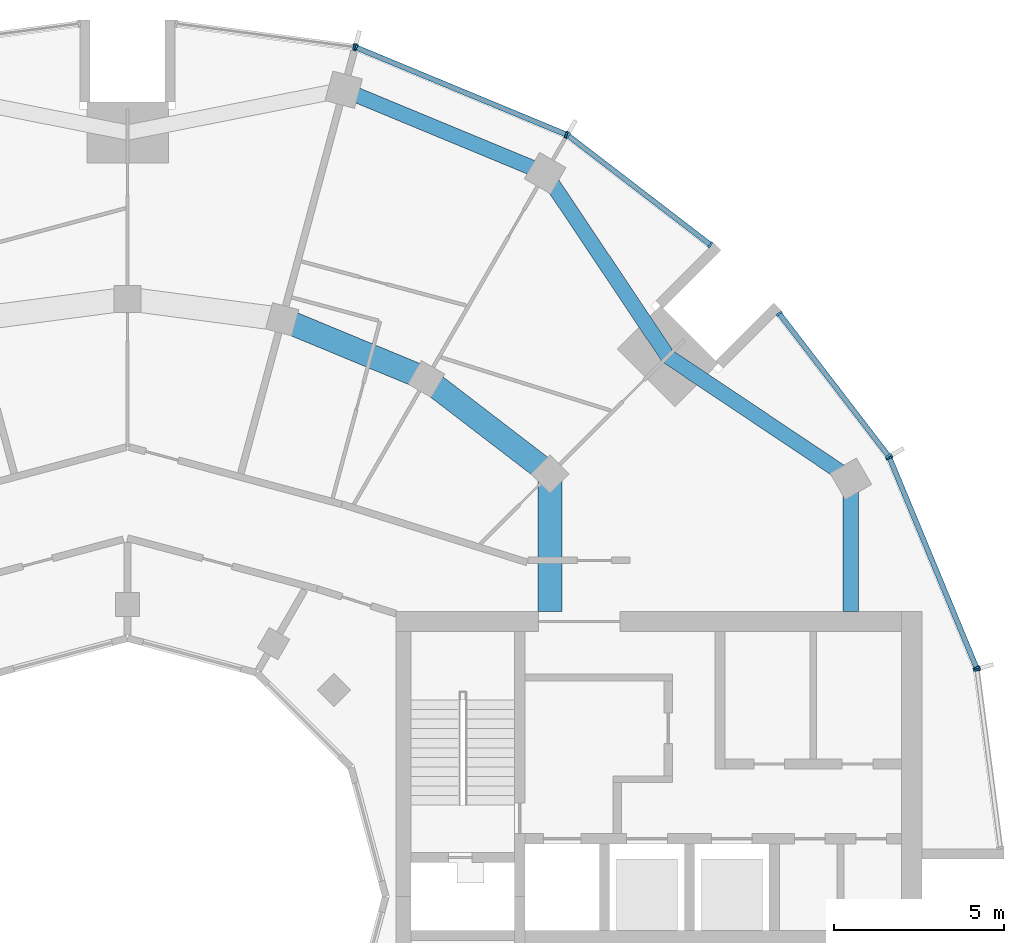
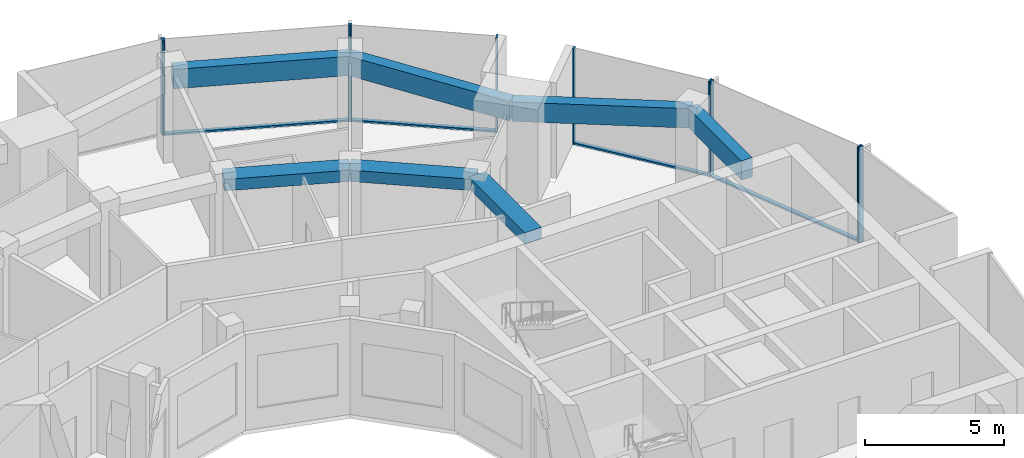
# One storey, part 6 of 15: 14 members, 7 beams, 6 elements without a shape of their own.
"""IFC4 building model written with IfcOpenShell, lengths in metres."""

from ifc_helpers import new_model, si_unit, direction, frame, origin, origin_2d, place, context, subcontext, project, spatial, rectangle, extrude, material, layer, layer_set, material_profile, profile_set, type_object, element, aggregate, save


model = new_model("IFC4")

# Units and contexts
model_context = context("Model", 3, precision=1e-05, world=origin(), true_north=direction((0.0, 1.0)))
body_context = subcontext(model_context, "Body", "Model", "MODEL_VIEW")
ifc_project = project(units=[si_unit("LENGTHUNIT", "METRE"), si_unit("AREAUNIT", "SQUARE_METRE"), si_unit("VOLUMEUNIT", "CUBIC_METRE"), si_unit("PLANEANGLEUNIT", "RADIAN"), si_unit("MASSUNIT", "GRAM", prefix="KILO")], contexts=[model_context])

# Site, building, storey
site_placement = place(None, origin())
site = spatial("IfcSite", under=ifc_project, at=site_placement, CompositionType="ELEMENT")
building_placement = place(site_placement, origin())
building = spatial("IfcBuilding", under=site, at=building_placement, Name="Torre Brocal", CompositionType="ELEMENT")
storey_placement = place(building_placement, frame((0.0, 0.0, 241.5)))
storey = spatial("IfcBuildingStorey", under=building, at=storey_placement, Name="L55", CompositionType="ELEMENT", Elevation=241.5)

# Curtain wall, members
ifc_material_1 = material(Name="Aluminium and glass", Category="aluminium")
ifc_layer_1 = layer(ifc_material_1, 0.199951171875)
ifc_layer_set_1 = layer_set([ifc_layer_1], Name="Aluminium and glass")
curtain_wall_type_1 = type_object("IfcCurtainWallType", Name="CW-1 CURTAIN WALL 4200 HIGH", PredefinedType="NOTDEFINED", material=ifc_layer_set_1)
curtain_wall_1_placement = place(storey_placement, origin())
curtain_wall_1 = element("IfcCurtainWall", 1, at=curtain_wall_1_placement, inside=storey, type_object=curtain_wall_type_1, Name="CW-1 RUN 2", PredefinedType="NOTDEFINED")
ifc_material_2 = material(Name="Aluminium, dark anodised", Category="aluminium")
ifc_material_profile_1 = material_profile(ifc_material_2, rectangle(XDim=0.199951171875, YDim=0.06005859375, at=origin_2d()), Name="CW-1 MULLION 60X200")
ifc_profile_set_1 = profile_set([ifc_material_profile_1], Name="Aluminium, dark anodised")
member_type_1 = type_object("IfcMemberType", Name="CW-1 MULLION 60X200", PredefinedType="MULLION", material=ifc_profile_set_1)
member_1_placement = place(storey_placement, frame((105.005126953125, 81.73095703125, 0.0), z_axis=(0.0, 0.0, 1.0), x_axis=(-0.923879532525, -0.382683432333, 0.0)))
member_1 = element("IfcMember", 2, at=member_1_placement, type_object=member_type_1, Name="CW1-5 mullion 1", PredefinedType="MULLION", context=body_context, shape_type="SweptSolid", body=[
    extrude(rectangle(XDim=0.199951171875, YDim=0.06005859375, at=origin_2d()), origin(), (0.0, 0.0, 1.0), 4.199951171875),
])
member_2_placement = place(storey_placement, frame((102.440673828125, 87.921875, 0.0), z_axis=(0.0, 0.0, 1.0), x_axis=(-0.923879532525, -0.382683432333, 0.0)))
member_2 = element("IfcMember", 3, at=member_2_placement, type_object=member_type_1, Name="CW1-5 mullion 2", PredefinedType="MULLION", context=body_context, shape_type="SweptSolid", body=[
    extrude(rectangle(XDim=0.199951171875, YDim=0.06005859375, at=origin_2d()), origin(), (0.0, 0.0, 1.0), 4.199951171875),
])

curtain_wall_2_placement = place(storey_placement, origin())
curtain_wall_2 = element("IfcCurtainWall", 4, at=curtain_wall_2_placement, inside=storey, type_object=curtain_wall_type_1, Name="CW-1 RUN 3", PredefinedType="NOTDEFINED")
member_3_placement = place(storey_placement, frame((102.4111328125, 87.973388671875, 0.0), z_axis=(0.0, 0.0, 1.0), x_axis=(-0.793353340259, -0.60876142905, 0.0)))
member_3 = element("IfcMember", 5, at=member_3_placement, type_object=member_type_1, Name="CW1-5 mullion 1", PredefinedType="MULLION", context=body_context, shape_type="SweptSolid", body=[
    extrude(rectangle(XDim=0.199951171875, YDim=0.06005859375, at=origin_2d()), origin(), (0.0, 0.0, 1.0), 4.199951171875),
])
member_4_placement = place(storey_placement, frame((99.19140625, 92.16943359375, 0.0), z_axis=(0.0, 0.0, 1.0), x_axis=(-0.793353340259, -0.60876142905, 0.0)))
member_4 = element("IfcMember", 6, at=member_4_placement, type_object=member_type_1, Name="CW1-5 mullion 2", PredefinedType="MULLION", context=body_context, shape_type="SweptSolid", body=[
    extrude(rectangle(XDim=0.199951171875, YDim=0.06005859375, at=origin_2d()), origin(), (0.0, 0.0, 1.0), 4.199951171875),
])

curtain_wall_3_placement = place(storey_placement, origin())
curtain_wall_3 = element("IfcCurtainWall", 7, at=curtain_wall_3_placement, inside=storey, type_object=curtain_wall_type_1, Name="CW-1 RUN 4", PredefinedType="NOTDEFINED")
member_5_placement = place(storey_placement, frame((97.16943359375, 94.19140625, 0.0), z_axis=(0.0, 0.0, 1.0), x_axis=(-0.60876142905, -0.793353340259, 0.0)))
member_5 = element("IfcMember", 8, at=member_5_placement, type_object=member_type_1, Name="CW1-5 mullion 1", PredefinedType="MULLION", context=body_context, shape_type="SweptSolid", body=[
    extrude(rectangle(XDim=0.199951171875, YDim=0.06005859375, at=origin_2d()), origin(), (0.0, 0.0, 1.0), 4.199951171875),
])
member_6_placement = place(storey_placement, frame((92.973388671875, 97.4111328125, 0.0), z_axis=(0.0, 0.0, 1.0), x_axis=(-0.60876142905, -0.793353340259, 0.0)))
member_6 = element("IfcMember", 9, at=member_6_placement, type_object=member_type_1, Name="CW1-5 mullion 2", PredefinedType="MULLION", context=body_context, shape_type="SweptSolid", body=[
    extrude(rectangle(XDim=0.199951171875, YDim=0.06005859375, at=origin_2d()), origin(), (0.0, 0.0, 1.0), 4.199951171875),
])

curtain_wall_4_placement = place(storey_placement, origin())
curtain_wall_4 = element("IfcCurtainWall", 10, at=curtain_wall_4_placement, inside=storey, type_object=curtain_wall_type_1, Name="CW-1 RUN 5", PredefinedType="NOTDEFINED")
member_7_placement = place(storey_placement, frame((92.921875, 97.440673828125, 0.0), z_axis=(0.0, 0.0, 1.0), x_axis=(-0.382683432333, -0.923879532525, 0.0)))
member_7 = element("IfcMember", 11, at=member_7_placement, type_object=member_type_1, Name="CW1-5 mullion 1", PredefinedType="MULLION", context=body_context, shape_type="SweptSolid", body=[
    extrude(rectangle(XDim=0.199951171875, YDim=0.06005859375, at=origin_2d()), origin(), (0.0, 0.0, 1.0), 4.199951171875),
])
member_8_placement = place(storey_placement, frame((86.73095703125, 100.005126953125, 0.0), z_axis=(0.0, 0.0, 1.0), x_axis=(-0.382683432333, -0.923879532525, 0.0)))
member_8 = element("IfcMember", 12, at=member_8_placement, type_object=member_type_1, Name="CW1-5 mullion 2", PredefinedType="MULLION", context=body_context, shape_type="SweptSolid", body=[
    extrude(rectangle(XDim=0.199951171875, YDim=0.06005859375, at=origin_2d()), origin(), (0.0, 0.0, 1.0), 4.199951171875),
])

# Curtain wall, member
curtain_wall_5_placement = place(storey_placement, origin())
curtain_wall_5 = element("IfcCurtainWall", 13, at=curtain_wall_5_placement, inside=storey, type_object=curtain_wall_type_1, Name="CW-1 RUN 6", PredefinedType="NOTDEFINED")
member_9_placement = place(storey_placement, frame((86.67333984375, 100.0205078125, 0.0), z_axis=(0.0, 0.0, 1.0), x_axis=(-0.13052619222, -0.991444861374, 0.0)))
member_9 = element("IfcMember", 14, at=member_9_placement, type_object=member_type_1, Name="CW1-5 mullion 1", PredefinedType="MULLION", context=body_context, shape_type="SweptSolid", body=[
    extrude(rectangle(XDim=0.199951171875, YDim=0.06005859375, at=origin_2d()), origin(), (0.0, 0.0, 1.0), 4.199951171875),
])
aggregate(curtain_wall_5, [member_9])

# Member
ifc_material_3 = material(Name="Aluminium, dark anodised", Category="aluminium")
ifc_material_profile_2 = material_profile(ifc_material_3, rectangle(XDim=0.159912109375, YDim=0.080078125, at=origin_2d()), Name="CW-1 TRANSOM 160X80")
ifc_profile_set_2 = profile_set([ifc_material_profile_2], Name="Aluminium, dark anodised")
member_type_2 = type_object("IfcMemberType", Name="CW-1 TRANSOM 160X80", PredefinedType="USERDEFINED", material=ifc_profile_set_2)
member_10_placement = place(storey_placement, frame((104.99365234375, 81.758544921875, 0.0400390625), z_axis=(-0.38266457234, 0.923887344364, 0.0), x_axis=(-0.923887344364, -0.38266457234, 0.0)))
member_10 = element("IfcMember", 15, at=member_10_placement, type_object=member_type_2, Name="CW1-5 transom 1.1", ObjectType="TRANSOM", PredefinedType="USERDEFINED", context=body_context, shape_type="SweptSolid", body=[
    extrude(rectangle(XDim=0.159912109375, YDim=0.080078125, at=origin_2d()), origin(), (0.0, 0.0, 1.0), 6.640869140625),
])

aggregate(curtain_wall_1, [member_1, member_2, member_10])

member_11_placement = place(storey_placement, frame((102.392822265625, 87.9970703125, 0.0400390625), z_axis=(-0.60874908096, 0.79336281513, 0.0), x_axis=(-0.79336281513, -0.60874908096, 0.0)))
member_11 = element("IfcMember", 16, at=member_11_placement, type_object=member_type_2, Name="CW1-5 transom 1.1", ObjectType="TRANSOM", PredefinedType="USERDEFINED", context=body_context, shape_type="SweptSolid", body=[
    extrude(rectangle(XDim=0.159912109375, YDim=0.080078125, at=origin_2d()), origin(), (0.0, 0.0, 1.0), 5.22900390625),
])

aggregate(curtain_wall_2, [member_3, member_4, member_11])

member_12_placement = place(storey_placement, frame((97.1455078125, 94.209716796875, 0.0400390625), z_axis=(-0.79336281513, 0.60874908096, 0.0), x_axis=(-0.60874908096, -0.79336281513, 0.0)))
member_12 = element("IfcMember", 17, at=member_12_placement, type_object=member_type_2, Name="CW1-5 transom 1.1", ObjectType="TRANSOM", PredefinedType="USERDEFINED", context=body_context, shape_type="SweptSolid", body=[
    extrude(rectangle(XDim=0.159912109375, YDim=0.080078125, at=origin_2d()), origin(), (0.0, 0.0, 1.0), 5.22900390625),
])

aggregate(curtain_wall_3, [member_5, member_6, member_12])

member_13_placement = place(storey_placement, frame((92.89404296875, 97.452392578125, 0.0400390625), z_axis=(-0.923887344364, 0.38266457234, 0.0), x_axis=(-0.38266457234, -0.923887344364, 0.0)))
member_13 = element("IfcMember", 18, at=member_13_placement, type_object=member_type_2, Name="CW1-5 transom 1.1", ObjectType="TRANSOM", PredefinedType="USERDEFINED", context=body_context, shape_type="SweptSolid", body=[
    extrude(rectangle(XDim=0.159912109375, YDim=0.080078125, at=origin_2d()), origin(), (0.0, 0.0, 1.0), 6.640869140625),
])

aggregate(curtain_wall_4, [member_7, member_8, member_13])

# Curtain wall, member
ifc_material_4 = material(Name="Aluminium and glass", Category="aluminium")
ifc_layer_2 = layer(ifc_material_4, 0.199951171875)
ifc_layer_set_2 = layer_set([ifc_layer_2], Name="Aluminium and glass")
curtain_wall_type_2 = type_object("IfcCurtainWallType", Name="CW-1B CURTAIN WALL 4200 HIGH", PredefinedType="NOTDEFINED", material=ifc_layer_set_2)
curtain_wall_6_placement = place(storey_placement, origin())
curtain_wall_6 = element("IfcCurtainWall", 19, at=curtain_wall_6_placement, inside=storey, type_object=curtain_wall_type_2, Name="CW-1B RUN 1", PredefinedType="NOTDEFINED")
ifc_material_5 = material(Name="Aluminium, dark anodised", Category="aluminium")
ifc_material_profile_3 = material_profile(ifc_material_5, rectangle(XDim=0.199951171875, YDim=0.06005859375, at=origin_2d()), Name="CW-1B MULLION 60X200")
ifc_profile_set_3 = profile_set([ifc_material_profile_3], Name="Aluminium, dark anodised")
member_type_3 = type_object("IfcMemberType", Name="CW-1B MULLION 60X200", PredefinedType="MULLION", material=ifc_profile_set_3)
member_14_placement = place(storey_placement, frame((105.0205078125, 81.67333984375, 0.0), z_axis=(0.0, 0.0, 1.0), x_axis=(-0.991444861374, -0.13052619222, 0.0)))
member_14 = element("IfcMember", 20, at=member_14_placement, type_object=member_type_3, Name="CW1B-5 mullion 2", PredefinedType="MULLION", context=body_context, shape_type="SweptSolid", body=[
    extrude(rectangle(XDim=0.199951171875, YDim=0.06005859375, at=origin_2d()), origin(), (0.0, 0.0, 1.0), 4.199951171875),
])
aggregate(curtain_wall_6, [member_14])

# Beams
ifc_material_6 = material(Name="Concrete C50", Category="concrete")
ifc_material_profile_4 = material_profile(ifc_material_6, rectangle(XDim=0.699951171875, YDim=0.5, at=origin_2d()), Name="RC 700X500")
ifc_profile_set_4 = profile_set([ifc_material_profile_4], Name="Concrete C50")
beam_type_1 = type_object("IfcBeamType", Name="RC BEAM 700X500 C50 TOP 3880", PredefinedType="BEAM", material=ifc_profile_set_4)
beam_1_placement = place(storey_placement, frame((92.445068359375, 87.445068359375, 3.6298828125), z_axis=(-0.793358265959, 0.6087550097, 0.0), x_axis=(-0.6087550097, -0.793358265959, 0.0)))
element("IfcBeam", 21, at=beam_1_placement, inside=storey, type_object=beam_type_1, Name="Beam BT-37", PredefinedType="BEAM", context=body_context, shape_type="SweptSolid", body=[
    extrude(rectangle(XDim=0.699951171875, YDim=0.5, at=origin_2d()), origin(), (0.0, 0.0, 1.0), 4.594482421875),
])
beam_2_placement = place(storey_placement, frame((88.800048828125, 90.241943359375, 3.6298828125), z_axis=(-0.923878240166, 0.382686552348, 0.0), x_axis=(-0.382686552348, -0.923878240166, 0.0)))
element("IfcBeam", 22, at=beam_2_placement, inside=storey, type_object=beam_type_1, Name="Beam BT-37", PredefinedType="BEAM", context=body_context, shape_type="SweptSolid", body=[
    extrude(rectangle(XDim=0.699951171875, YDim=0.5, at=origin_2d()), origin(), (0.0, 0.0, 1.0), 4.5947265625),
])
beam_3_placement = place(storey_placement, frame((92.445068359375, 87.445068359375, 3.6298828125), z_axis=(0.0, -1.0, 0.0), x_axis=(1.0, 0.0, 0.0)))
element("IfcBeam", 23, at=beam_3_placement, inside=storey, type_object=beam_type_1, Name="Beam BT-37", PredefinedType="BEAM", context=body_context, shape_type="SweptSolid", body=[
    extrude(rectangle(XDim=0.699951171875, YDim=0.5, at=origin_2d()), origin(), (0.0, 0.0, 1.0), 4.045166015625),
])
ifc_material_7 = material(Name="Concrete C50", Category="concrete")
ifc_material_profile_5 = material_profile(ifc_material_7, rectangle(XDim=0.449951171875, YDim=0.85009765625, at=origin_2d()), Name="RC 450X850")
ifc_profile_set_5 = profile_set([ifc_material_profile_5], Name="Concrete C50")
beam_type_2 = type_object("IfcBeamType", Name="RC SPANDREL BEAM 450X850 C50 TOP 3880", PredefinedType="SPANDREL", material=ifc_profile_set_5)
for number, where, z_axis, x_axis, name in (
    (24, (101.30419921875, 87.300048828125, 3.455078125), (-0.831076844476, 0.556157602282, 0.0), (-0.556157602282, -0.831076844476, 0.0), "Beam BT-38"),
    (25, (95.909912109375, 90.909912109375, 3.455078125), (-0.556157602282, 0.831076844476, 0.0), (-0.831076844476, -0.556157602282, 0.0), "Beam BT-38"),
):
    element("IfcBeam", number, at=place(storey_placement, frame(where, z_axis=z_axis, x_axis=x_axis)), inside=storey, type_object=beam_type_2, Name=name, PredefinedType="SPANDREL", context=body_context, shape_type="SweptSolid", body=[
        extrude(rectangle(XDim=0.449951171875, YDim=0.85009765625, at=origin_2d()), origin(), (0.0, 0.0, 1.0), 6.49072265625),
    ])
beam_4_placement = place(storey_placement, frame((92.300048828125, 96.30419921875, 3.455078125), z_axis=(-0.923882462513, 0.382676358639, 0.0), x_axis=(-0.382676358639, -0.923882462513, 0.0)))
element("IfcBeam", 26, at=beam_4_placement, inside=storey, type_object=beam_type_2, Name="Beam BT-38", PredefinedType="SPANDREL", context=body_context, shape_type="SweptSolid", body=[
    extrude(rectangle(XDim=0.449951171875, YDim=0.85009765625, at=origin_2d()), origin(), (0.0, 0.0, 1.0), 6.421875),
])
beam_5_placement = place(storey_placement, frame((101.30419921875, 87.300048828125, 3.455078125), z_axis=(0.0, -1.0, 0.0), x_axis=(1.0, 0.0, 0.0)))
element("IfcBeam", 27, at=beam_5_placement, inside=storey, type_object=beam_type_2, Name="Beam BT-38", PredefinedType="SPANDREL", context=body_context, shape_type="SweptSolid", body=[
    extrude(rectangle(XDim=0.449951171875, YDim=0.85009765625, at=origin_2d()), origin(), (0.0, 0.0, 1.0), 3.900146484375),
])

save(model, "model.ifc")
